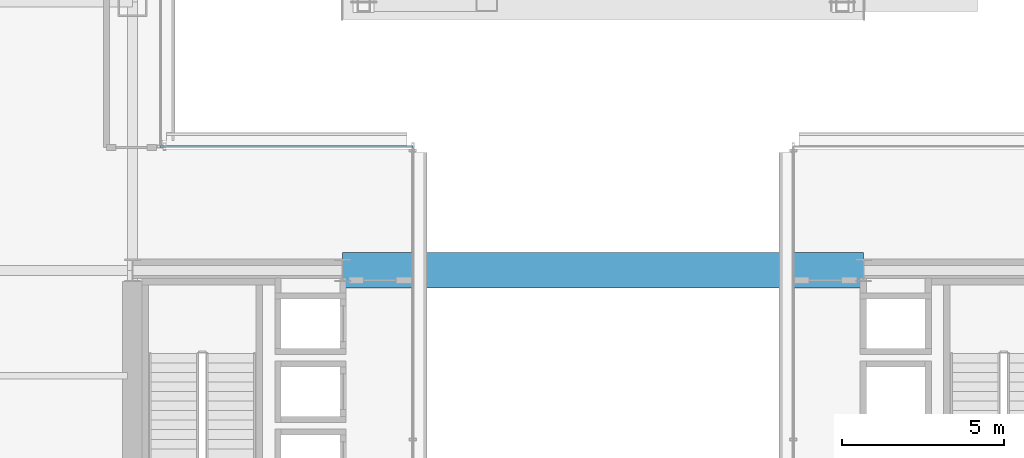
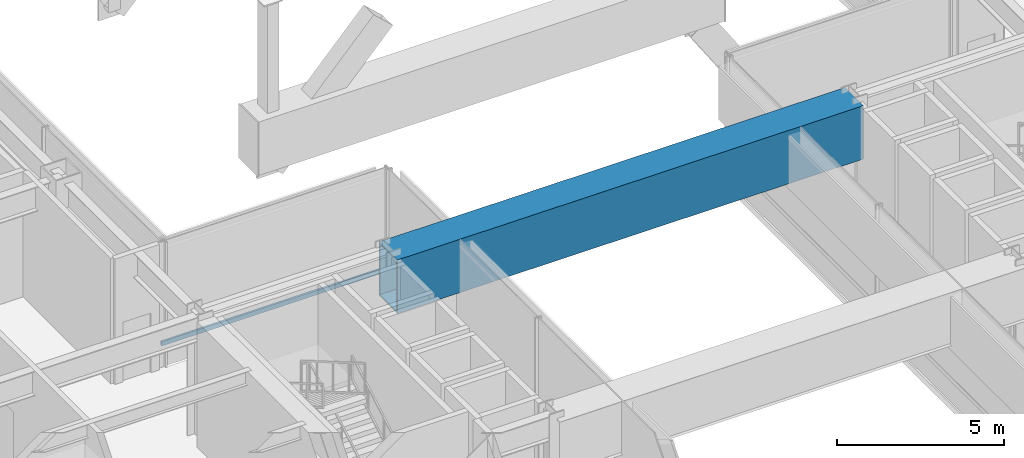
# One storey, part 18 of 42: 1 beam, 1 member, 1 element without a shape of its own.
"""IFC4 building model written with IfcOpenShell, lengths in metres."""

from ifc_helpers import new_model, si_unit, direction, frame, origin, origin_2d, place, context, subcontext, project, spatial, hollow_rectangle, extrude, material, layer, layer_set, material_profile, profile_set, type_object, element, aggregate, save


model = new_model("IFC4")

# Units and contexts
model_context = context("Model", 3, precision=1e-05, world=origin(), true_north=direction((0.0, 1.0)))
body_context = subcontext(model_context, "Body", "Model", "MODEL_VIEW")
ifc_project = project(units=[si_unit("LENGTHUNIT", "METRE"), si_unit("AREAUNIT", "SQUARE_METRE"), si_unit("VOLUMEUNIT", "CUBIC_METRE"), si_unit("PLANEANGLEUNIT", "RADIAN"), si_unit("MASSUNIT", "GRAM", prefix="KILO")], contexts=[model_context])

# Site, building, storey
site_placement = place(None, origin())
site = spatial("IfcSite", under=ifc_project, at=site_placement, CompositionType="ELEMENT")
building_placement = place(site_placement, origin())
building = spatial("IfcBuilding", under=site, at=building_placement, Name="Brelmoor Portico Tower", CompositionType="ELEMENT")
storey_placement = place(building_placement, frame((0.0, 0.0, 9.60009765625)))
storey = spatial("IfcBuildingStorey", under=building, at=storey_placement, Name="L02", CompositionType="ELEMENT", Elevation=9.60009765625)

# Beam
ifc_material_1 = material(Name="Steel Q420B", Category="steel")
ifc_material_profile_1 = material_profile(ifc_material_1, hollow_rectangle(XDim=1.10009765625, YDim=1.949951171875, WallThickness=0.054931640625, at=origin_2d()), Name="BOX 1100x1950x55")
ifc_profile_set_1 = profile_set([ifc_material_profile_1], Name="Steel Q420B")
beam_type = type_object("IfcBeamType", Name="BM-TG-ARCH", PredefinedType="BEAM", material=ifc_profile_set_1)
beam_placement = place(storey_placement, frame((-8.050048828125, 9.75, 3.60498046875), z_axis=(1.0, 0.0, 0.0), x_axis=(0.0, 1.0, 0.0)))
element("IfcBeam", 1, at=beam_placement, inside=storey, type_object=beam_type, Name="L02 Portico Arch Transfer Box Girder TG-ARCH-04", PredefinedType="BEAM", context=body_context, shape_type="SweptSolid", body=[
    extrude(hollow_rectangle(XDim=1.10009765625, YDim=1.949951171875, WallThickness=0.054931640625, at=origin_2d()), origin(), (0.0, 0.0, 1.0), 16.10009765625),
])

# Curtain wall, member
ifc_material_2 = material(Name="Anodised Aluminium Alloy 6063-T6", Category="aluminium")
ifc_layer = layer(ifc_material_2, 0.179931640625)
ifc_layer_set = layer_set([ifc_layer], Name="Anodised Aluminium Alloy 6063-T6")
curtain_wall_type = type_object("IfcCurtainWallType", Name="CW-PODIUM-ARCH", PredefinedType="NOTDEFINED", material=ifc_layer_set)
curtain_wall_placement = place(storey_placement, origin())
curtain_wall = element("IfcCurtainWall", 2, at=curtain_wall_placement, inside=storey, type_object=curtain_wall_type, Name="L02 Curtain Wall CW-L02-13", PredefinedType="NOTDEFINED")
ifc_material_profile_2 = material_profile(ifc_material_2, hollow_rectangle(XDim=0.070068359375, YDim=0.159912109375, WallThickness=0.00390625, at=origin_2d()), Name="ALU TRANSOM 70x160")
ifc_profile_set_2 = profile_set([ifc_material_profile_2], Name="Anodised Aluminium Alloy 6063-T6")
member_type = type_object("IfcMemberType", Name="MB-CW-TRAN-160", PredefinedType="USERDEFINED", material=ifc_profile_set_2)
member_placement = place(storey_placement, frame((-13.679931640625, 13.580078125, 0.849853515625), z_axis=(1.0, 0.0, 0.0), x_axis=(0.0, 1.0, 0.0)))
member = element("IfcMember", 3, at=member_placement, type_object=member_type, Name="CW-L02-13 Transom 1-00", ObjectType="TRANSOM", PredefinedType="USERDEFINED", context=body_context, shape_type="SweptSolid", body=[
    extrude(hollow_rectangle(XDim=0.070068359375, YDim=0.159912109375, WallThickness=0.00390625, at=origin_2d()), origin(), (0.0, 0.0, 1.0), 7.800048828125),
])
aggregate(curtain_wall, [member])

save(model, "model.ifc")
